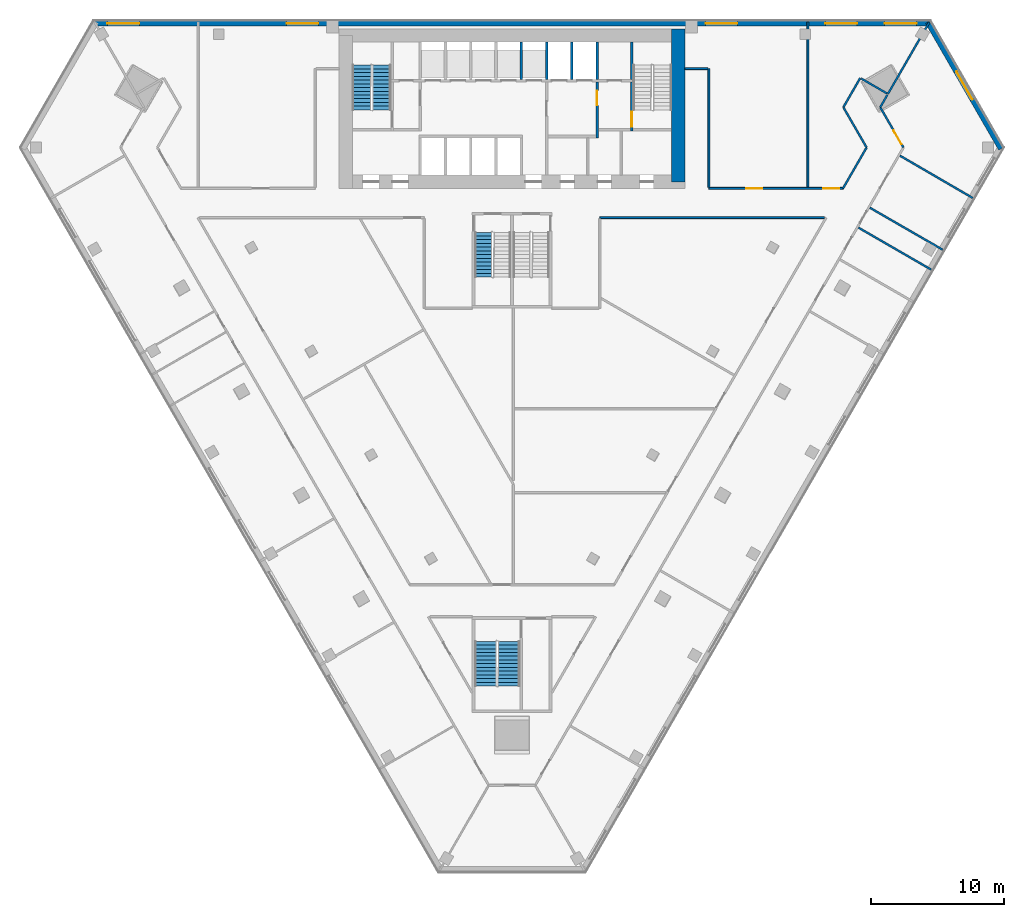
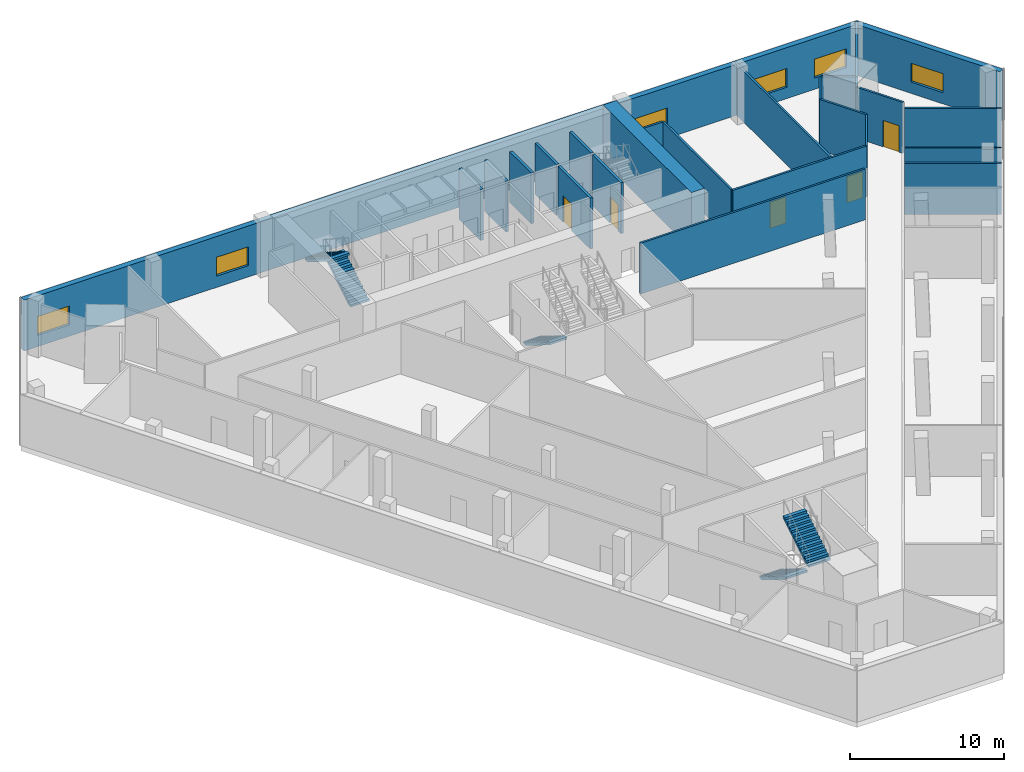
# One storey, part 6 of 9: 25 walls, 6 windows, 5 doors, 5 stair flights, 11 openings, 3 elements without a shape of their own.
"""IFC4 building model written with IfcOpenShell, lengths in metres."""

from ifc_helpers import new_model, si_unit, direction, frame, frame_2d, origin, place, context, subcontext, project, spatial, polyline, rectangle, outline, extrude, material, layer, layer_set, type_object, element, fill, aggregate, save


model = new_model("IFC4")

# Units and contexts
model_context = context("Model", 3, precision=1e-05, world=origin(), true_north=direction((0.0, 1.0)))
body_context = subcontext(model_context, "Body", "Model", "MODEL_VIEW")
ifc_project = project(units=[si_unit("LENGTHUNIT", "METRE"), si_unit("AREAUNIT", "SQUARE_METRE"), si_unit("VOLUMEUNIT", "CUBIC_METRE"), si_unit("PLANEANGLEUNIT", "RADIAN"), si_unit("MASSUNIT", "GRAM", prefix="KILO")], contexts=[model_context])

# Site, building, storey
site_placement = place(None, origin())
site = spatial("IfcSite", under=ifc_project, at=site_placement, CompositionType="ELEMENT")
building_placement = place(site_placement, origin())
building = spatial("IfcBuilding", under=site, at=building_placement, Name="Altiplano Prism Tower", CompositionType="ELEMENT")
storey_placement = place(building_placement, frame((0.0, 0.0, 13.5)))
storey = spatial("IfcBuildingStorey", under=building, at=storey_placement, Name="L02", CompositionType="ELEMENT", Elevation=13.5)

# Wall
ifc_material_1 = material(Name="Concrete C70/85", Category="concrete")
ifc_layer_1 = layer(ifc_material_1, 1.0)
ifc_layer_set_1 = layer_set([ifc_layer_1], Name="Concrete C70/85")
wall_type_1 = type_object("IfcWallType", Name="Core wall 1000", PredefinedType="SHEAR", material=ifc_layer_set_1)
wall_1_placement = place(storey_placement, frame((97.5, 92.89990234375, 0.0), z_axis=(0.0, 0.0, 1.0), x_axis=(0.0, 1.0, 0.0)))
element("IfcWall", 1, at=wall_1_placement, inside=storey, type_object=wall_type_1, Name="Core wall E L02", PredefinedType="SHEAR", context=body_context, shape_type="SweptSolid", body=[
    extrude(rectangle(XDim=11.5, YDim=1.0, at=frame_2d((5.75, 0.0))), origin(), (0.0, 0.0, 1.0), 4.5),
])

# Wall, opening, door
ifc_material_2 = material(Name="Plasterboard on steel stud", Category="steel")
ifc_layer_2 = layer(ifc_material_2, 0.14990234375)
ifc_layer_set_2 = layer_set([ifc_layer_2], Name="Plasterboard on steel stud")
wall_type_2 = type_object("IfcWallType", Name="Partition 150 corridor", PredefinedType="PARTITIONING", material=ifc_layer_set_2)
wall_2_placement = place(storey_placement, frame((114.4296875, 95.4736328125, 0.0), z_axis=(0.0, 0.0, 1.0), x_axis=(-0.500008701212, 0.866020380079, 0.0)))
wall_2 = element("IfcWall", 2, at=wall_2_placement, inside=storey, type_object=wall_type_2, Name="Partition P06 L02 006", PredefinedType="PARTITIONING", context=body_context, shape_type="SweptSolid", body=[
    extrude(rectangle(XDim=3.49462890625, YDim=0.14990234375, at=frame_2d((1.747314453125, 0.0))), origin(), (0.0, 0.0, 1.0), 4.050048828125),
])
opening_1_placement = place(wall_2_placement, frame((0.2880859375, 0.0, 0.0)))
opening_1 = element("IfcOpeningElement", 3, at=opening_1_placement, cuts=wall_2, Name="Opening D0067", PredefinedType="OPENING", context=body_context, shape_type="SweptSolid", body=[
    extrude(rectangle(XDim=1.199951171875, YDim=2.10009765625, at=frame_2d((0.60009765625, 1.050048828125))), frame((0.0, 0.08544921875, 0.0), z_axis=(0.0, -1.0, 0.0), x_axis=(1.0, 0.0, 0.0)), (0.0, 0.0, 1.0), 0.1708984375),
])
ifc_material_3 = material(Name="Timber", Category="wood")
door_type_1 = type_object("IfcDoorType", Name="Shared room door 1200 x 2100", OperationType="NOTDEFINED", PredefinedType="NOTDEFINED", material=ifc_material_3)
door_1_placement = place(opening_1_placement, origin())
door_1 = element("IfcDoor", 4, at=door_1_placement, inside=storey, type_object=door_type_1, Name="Door D0067", OperationType="SINGLE_SWING_LEFT", OverallHeight=2.10009765625, OverallWidth=1.199951171875, PredefinedType="NOTDEFINED", context=body_context, shape_type="SweptSolid", body=[
    extrude(rectangle(XDim=1.199951171875, YDim=2.10009765625, at=frame_2d((0.60009765625, 1.050048828125))), frame((0.0, 0.02490234375, 0.0), z_axis=(0.0, -1.0, 0.0), x_axis=(1.0, 0.0, 0.0)), (0.0, 0.0, 1.0), 0.050048828125),
])
fill(opening_1, door_1)

# Walls
wall_3_placement = place(storey_placement, frame((112.682373046875, 98.5, 0.0), z_axis=(0.0, 0.0, 1.0), x_axis=(0.500126914667, 0.865952117167, 0.0)))
element("IfcWall", 5, at=wall_3_placement, inside=storey, type_object=wall_type_2, Name="Partition P06 L02 007", PredefinedType="PARTITIONING", context=body_context, shape_type="SweptSolid", body=[
    extrude(rectangle(XDim=1.079833984375, YDim=0.14990234375, at=frame_2d((0.5400390625, 0.0))), origin(), (0.0, 0.0, 1.0), 4.050048828125),
])
wall_4_placement = place(storey_placement, frame((91.60009765625, 90.199951171875, 0.0), z_axis=(0.0, 0.0, 1.0), x_axis=(1.0, 0.0, 0.0)))
element("IfcWall", 6, at=wall_4_placement, inside=storey, type_object=wall_type_2, Name="Partition P06 L02 010", PredefinedType="PARTITIONING", context=body_context, shape_type="SweptSolid", body=[
    extrude(rectangle(XDim=16.883544921875, YDim=0.14990234375, at=frame_2d((8.44189453125, 0.0))), origin(), (0.0, 0.0, 1.0), 4.050048828125),
])

# Wall, openings, doors
wall_5_placement = place(storey_placement, frame((109.8837890625, 92.39990234375, 0.0), z_axis=(0.0, 0.0, 1.0), x_axis=(-1.0, 0.0, 0.0)))
wall_5 = element("IfcWall", 7, at=wall_5_placement, inside=storey, type_object=wall_type_2, Name="Partition P06 L02 016", PredefinedType="PARTITIONING", context=body_context, shape_type="SweptSolid", body=[
    extrude(rectangle(XDim=10.083740234375, YDim=0.14990234375, at=frame_2d((5.0419921875, 0.0))), origin(), (0.0, 0.0, 1.0), 4.050048828125),
])
opening_2_placement = place(wall_5_placement, frame((6.06201171875, 0.0, 0.0)))
opening_2 = element("IfcOpeningElement", 8, at=opening_2_placement, cuts=wall_5, Name="Opening D0072", PredefinedType="OPENING", context=body_context, shape_type="SweptSolid", body=[
    extrude(rectangle(XDim=1.199951171875, YDim=2.10009765625, at=frame_2d((0.60009765625, 1.050048828125))), frame((0.0, 0.08544921875, 0.0), z_axis=(0.0, -1.0, 0.0), x_axis=(1.0, 0.0, 0.0)), (0.0, 0.0, 1.0), 0.1708984375),
])
opening_3_placement = place(wall_5_placement, frame((0.291015625, 0.0, 0.0)))
opening_3 = element("IfcOpeningElement", 9, at=opening_3_placement, cuts=wall_5, Name="Opening D0078", PredefinedType="OPENING", context=body_context, shape_type="SweptSolid", body=[
    extrude(rectangle(XDim=1.199951171875, YDim=2.10009765625, at=frame_2d((0.60009765625, 1.050048828125))), frame((0.0, 0.08544921875, 0.0), z_axis=(0.0, -1.0, 0.0), x_axis=(1.0, 0.0, 0.0)), (0.0, 0.0, 1.0), 0.1708984375),
])
door_2_placement = place(opening_2_placement, origin())
door_2 = element("IfcDoor", 10, at=door_2_placement, inside=storey, type_object=door_type_1, Name="Door D0072", OperationType="SINGLE_SWING_RIGHT", OverallHeight=2.10009765625, OverallWidth=1.199951171875, PredefinedType="NOTDEFINED", context=body_context, shape_type="SweptSolid", body=[
    extrude(rectangle(XDim=1.199951171875, YDim=2.10009765625, at=frame_2d((0.60009765625, 1.050048828125))), frame((0.0, 0.02490234375, 0.0), z_axis=(0.0, -1.0, 0.0), x_axis=(1.0, 0.0, 0.0)), (0.0, 0.0, 1.0), 0.050048828125),
])
fill(opening_2, door_2)
door_3_placement = place(opening_3_placement, origin())
door_3 = element("IfcDoor", 11, at=door_3_placement, inside=storey, type_object=door_type_1, Name="Door D0078", OperationType="SINGLE_SWING_RIGHT", OverallHeight=2.10009765625, OverallWidth=1.199951171875, PredefinedType="NOTDEFINED", context=body_context, shape_type="SweptSolid", body=[
    extrude(rectangle(XDim=1.199951171875, YDim=2.10009765625, at=frame_2d((0.60009765625, 1.050048828125))), frame((0.0, 0.02490234375, 0.0), z_axis=(0.0, -1.0, 0.0), x_axis=(1.0, 0.0, 0.0)), (0.0, 0.0, 1.0), 0.050048828125),
])
fill(opening_3, door_3)

# Walls
wall_6_placement = place(storey_placement, frame((99.800048828125, 92.47509765625, 0.0), z_axis=(0.0, 0.0, 1.0), x_axis=(0.0, 1.0, 0.0)))
element("IfcWall", 12, at=wall_6_placement, inside=storey, type_object=wall_type_2, Name="Partition P06 L02 017", PredefinedType="PARTITIONING", context=body_context, shape_type="SweptSolid", body=[
    extrude(rectangle(XDim=8.9248046875, YDim=0.14990234375, at=frame_2d((4.46240234375, 0.0))), origin(), (0.0, 0.0, 1.0), 4.050048828125),
])
wall_7_placement = place(storey_placement, frame((99.72509765625, 101.39990234375, 0.0), z_axis=(0.0, 0.0, 1.0), x_axis=(-1.0, 0.0, 0.0)))
element("IfcWall", 13, at=wall_7_placement, inside=storey, type_object=wall_type_2, Name="Partition P06 L02 018", PredefinedType="PARTITIONING", context=body_context, shape_type="SweptSolid", body=[
    extrude(rectangle(XDim=1.72509765625, YDim=0.14990234375, at=frame_2d((0.862548828125, 0.0))), origin(), (0.0, 0.0, 1.0), 4.050048828125),
])
wall_8_placement = place(storey_placement, frame((113.19482421875, 99.53759765625, 0.0), z_axis=(0.0, 0.0, 1.0), x_axis=(-0.866017533419, 0.500013631625, 0.0)))
element("IfcWall", 14, at=wall_8_placement, inside=storey, type_object=wall_type_2, Name="Partition P06 L02 023", PredefinedType="PARTITIONING", context=body_context, shape_type="SweptSolid", body=[
    extrude(rectangle(XDim=2.25, YDim=0.14990234375, at=frame_2d((1.125, 0.0))), origin(), (0.0, 0.0, 1.0), 4.050048828125),
])
wall_9_placement = place(storey_placement, frame((111.181396484375, 100.699951171875, 0.0), z_axis=(0.0, 0.0, 1.0), x_axis=(-0.500035802948, -0.866004731956, 0.0)))
element("IfcWall", 15, at=wall_9_placement, inside=storey, type_object=wall_type_2, Name="Partition P06 L02 024", PredefinedType="PARTITIONING", context=body_context, shape_type="SweptSolid", body=[
    extrude(rectangle(XDim=2.540283203125, YDim=0.14990234375, at=frame_2d((1.27001953125, 0.0))), origin(), (0.0, 0.0, 1.0), 4.050048828125),
])
wall_10_placement = place(storey_placement, frame((109.9111328125, 98.5, 0.0), z_axis=(0.0, 0.0, 1.0), x_axis=(0.500008701212, -0.866020380079, 0.0)))
element("IfcWall", 16, at=wall_10_placement, inside=storey, type_object=wall_type_2, Name="Partition P06 L02 025", PredefinedType="PARTITIONING", context=body_context, shape_type="SweptSolid", body=[
    extrude(rectangle(XDim=3.49462890625, YDim=0.14990234375, at=frame_2d((1.747314453125, 0.0))), origin(), (0.0, 0.0, 1.0), 4.050048828125),
])
wall_11_placement = place(storey_placement, frame((111.658447265625, 95.4736328125, 0.0), z_axis=(0.0, 0.0, 1.0), x_axis=(-0.500008260065, -0.866020634781, 0.0)))
element("IfcWall", 17, at=wall_11_placement, inside=storey, type_object=wall_type_2, Name="Partition P06 L02 026", PredefinedType="PARTITIONING", context=body_context, shape_type="SweptSolid", body=[
    extrude(rectangle(XDim=3.54931640625, YDim=0.14990234375, at=frame_2d((1.774658203125, 0.0))), origin(), (0.0, 0.0, 1.0), 4.050048828125),
])
ifc_layer_3 = layer(ifc_material_2, 0.14990234375)
ifc_layer_set_3 = layer_set([ifc_layer_3], Name="Plasterboard on steel stud")
wall_type_3 = type_object("IfcWallType", Name="Partition 150 party", PredefinedType="PARTITIONING", material=ifc_layer_set_3)
wall_12_placement = place(storey_placement, frame((116.51806640625, 86.290771484375, 0.0), z_axis=(0.0, 0.0, 1.0), x_axis=(-0.866015887322, 0.500016482634, 0.0)))
element("IfcWall", 18, at=wall_12_placement, inside=storey, type_object=wall_type_3, Name="Partition P01 L02 049", PredefinedType="PARTITIONING", context=body_context, shape_type="SweptSolid", body=[
    extrude(rectangle(XDim=6.324951171875, YDim=0.14990234375, at=frame_2d((3.16259765625, 0.0))), origin(), (0.0, 0.0, 1.0), 4.050048828125),
])
wall_13_placement = place(storey_placement, frame((117.381103515625, 87.78564453125, 0.0), z_axis=(0.0, 0.0, 1.0), x_axis=(-0.866042250622, 0.499970819286, 0.0)))
element("IfcWall", 19, at=wall_13_placement, inside=storey, type_object=wall_type_3, Name="Partition P01 L02 050", PredefinedType="PARTITIONING", context=body_context, shape_type="SweptSolid", body=[
    extrude(rectangle(XDim=6.3251953125, YDim=0.14990234375, at=frame_2d((3.16259765625, 0.0))), origin(), (0.0, 0.0, 1.0), 4.050048828125),
])
wall_14_placement = place(storey_placement, frame((119.631103515625, 91.682861328125, 0.0), z_axis=(0.0, 0.0, 1.0), x_axis=(-0.864489243455, 0.502651318462, 0.0)))
element("IfcWall", 20, at=wall_14_placement, inside=storey, type_object=wall_type_3, Name="Partition P01 L02 051", PredefinedType="PARTITIONING", context=body_context, shape_type="SweptSolid", body=[
    extrude(rectangle(XDim=6.324951171875, YDim=0.14990234375, at=frame_2d((3.16259765625, 0.0))), origin(), (0.0, 0.0, 1.0), 4.050048828125),
])
wall_15_placement = place(storey_placement, frame((116.37744140625, 104.89990234375, 0.0), z_axis=(0.0, 0.0, 1.0), x_axis=(-0.500004896655, -0.866022576681, 0.0)))
element("IfcWall", 21, at=wall_15_placement, inside=storey, type_object=wall_type_3, Name="Partition P01 L02 052", PredefinedType="PARTITIONING", context=body_context, shape_type="SweptSolid", body=[
    extrude(rectangle(XDim=6.2353515625, YDim=0.14990234375, at=frame_2d((3.11767578125, 0.0))), origin(), (0.0, 0.0, 1.0), 4.050048828125),
])
wall_16_placement = place(storey_placement, frame((107.2412109375, 92.47509765625, 0.0), z_axis=(0.0, 0.0, 1.0), x_axis=(0.0, 1.0, 0.0)))
element("IfcWall", 22, at=wall_16_placement, inside=storey, type_object=wall_type_3, Name="Partition P01 L02 058", PredefinedType="PARTITIONING", context=body_context, shape_type="SweptSolid", body=[
    extrude(rectangle(XDim=12.4248046875, YDim=0.14990234375, at=frame_2d((6.21240234375, 0.0))), origin(), (0.0, 0.0, 1.0), 4.050048828125),
])
ifc_material_4 = material(Name="Concrete C60/75", Category="concrete")
ifc_layer_4 = layer(ifc_material_4, 0.199951171875)
ifc_layer_set_4 = layer_set([ifc_layer_4], Name="Concrete C60/75")
wall_type_4 = type_object("IfcWallType", Name="Shaft wall 200", PredefinedType="SOLIDWALL", material=ifc_layer_set_4)
for number, where, z_axis, x_axis, name in (
    (23, (85.699951171875, 100.60009765625, 0.0), (0.0, 0.0, 1.0), (0.0, 1.0, 0.0), "Shaft wall L02"),
    (24, (87.60009765625, 100.60009765625, 0.0), (0.0, 0.0, 1.0), (0.0, 1.0, 0.0), "Shaft wall L02"),
    (25, (89.5, 100.60009765625, 0.0), (0.0, 0.0, 1.0), (0.0, 1.0, 0.0), "Shaft wall L02"),
    (26, (91.39990234375, 100.60009765625, 0.0), (0.0, 0.0, 1.0), (0.0, 1.0, 0.0), "Shaft wall L02"),
):
    element("IfcWall", number, at=place(storey_placement, frame(where, z_axis=z_axis, x_axis=x_axis)), inside=storey, type_object=wall_type_4, Name=name, PredefinedType="SOLIDWALL", context=body_context, shape_type="SweptSolid", body=[
        extrude(rectangle(XDim=2.7998046875, YDim=0.199951171875, at=frame_2d((1.39990234375, 0.0))), origin(), (0.0, 0.0, 1.0), 4.050048828125),
    ])

# Wall, opening, door
ifc_layer_5 = layer(ifc_material_4, 0.199951171875)
ifc_layer_set_5 = layer_set([ifc_layer_5], Name="Concrete C60/75")
wall_type_5 = type_object("IfcWallType", Name="Stair wall 200", PredefinedType="SOLIDWALL", material=ifc_layer_set_5)
wall_17_placement = place(storey_placement, frame((94.0, 96.699951171875, 0.0), z_axis=(0.0, 0.0, 1.0), x_axis=(0.0, 1.0, 0.0)))
wall_17 = element("IfcWall", 27, at=wall_17_placement, inside=storey, type_object=wall_type_5, Name="Stair wall L02", PredefinedType="SOLIDWALL", context=body_context, shape_type="SweptSolid", body=[
    extrude(rectangle(XDim=3.699951171875, YDim=0.199951171875, at=frame_2d((1.85009765625, 0.0))), origin(), (0.0, 0.0, 1.0), 4.050048828125),
])
opening_4_placement = place(wall_17_placement, frame((0.35009765625, 0.0, 0.0)))
opening_4 = element("IfcOpeningElement", 28, at=opening_4_placement, cuts=wall_17, Name="Opening D2614", PredefinedType="OPENING", context=body_context, shape_type="SweptSolid", body=[
    extrude(rectangle(XDim=1.10009765625, YDim=2.10009765625, at=frame_2d((0.550048828125, 1.050048828125))), frame((0.0, 0.1103515625, 0.0), z_axis=(0.0, -1.0, 0.0), x_axis=(1.0, 0.0, 0.0)), (0.0, 0.0, 1.0), 0.220947265625),
])
ifc_material_5 = material(Name="Fire-rated steel door", Category="steel")
door_type_2 = type_object("IfcDoorType", Name="Stair fire door 1100 x 2100", OperationType="NOTDEFINED", PredefinedType="NOTDEFINED", material=ifc_material_5)
door_4_placement = place(opening_4_placement, origin())
door_4 = element("IfcDoor", 29, at=door_4_placement, inside=storey, type_object=door_type_2, Name="Stair fire door D2614", OperationType="SINGLE_SWING_LEFT", OverallHeight=2.10009765625, OverallWidth=1.10009765625, PredefinedType="NOTDEFINED", context=body_context, shape_type="SweptSolid", body=[
    extrude(rectangle(XDim=1.10009765625, YDim=2.10009765625, at=frame_2d((0.550048828125, 1.050048828125))), frame((0.0, 0.02490234375, 0.0), z_axis=(0.0, -1.0, 0.0), x_axis=(1.0, 0.0, 0.0)), (0.0, 0.0, 1.0), 0.050048828125),
])
fill(opening_4, door_4)

# Wall
wall_18_placement = place(storey_placement, frame((94.0, 100.60009765625, 0.0), z_axis=(0.0, 0.0, 1.0), x_axis=(0.0, 1.0, 0.0)))
element("IfcWall", 30, at=wall_18_placement, inside=storey, type_object=wall_type_5, Name="Stair wall L02", PredefinedType="SOLIDWALL", context=body_context, shape_type="SweptSolid", body=[
    extrude(rectangle(XDim=2.7998046875, YDim=0.199951171875, at=frame_2d((1.39990234375, 0.0))), origin(), (0.0, 0.0, 1.0), 4.050048828125),
])

# Wall, openings, windows
ifc_material_6 = material(Name="Concrete C40", Category="concrete")
ifc_layer_6 = layer(ifc_material_6, 0.39990234375)
ifc_layer_set_6 = layer_set([ifc_layer_6], Name="Concrete C40")
wall_type_6 = type_object("IfcWallType", Name="Stone-clad podium wall 400", PredefinedType="SOLIDWALL", material=ifc_layer_set_6)
wall_19_placement = place(storey_placement, frame((53.564697265625, 104.800048828125, 0.0), z_axis=(0.0, 0.0, 1.0), x_axis=(1.0, 0.0, 0.0)))
wall_19 = element("IfcWall", 31, at=wall_19_placement, inside=storey, type_object=wall_type_6, Name="External wall north face L02", PredefinedType="SOLIDWALL", context=body_context, shape_type="SweptSolid", body=[
    extrude(rectangle(XDim=62.87060546875, YDim=0.39990234375, at=frame_2d((31.435302734375, 0.0))), origin(), (0.0, 0.0, 1.0), 4.050048828125),
])
opening_5_placement = place(wall_19_placement, frame((59.452392578125, 0.0, 0.89990234375)))
opening_5 = element("IfcOpeningElement", 32, at=opening_5_placement, cuts=wall_19, Name="Opening W1", PredefinedType="OPENING", context=body_context, shape_type="SweptSolid", body=[
    extrude(rectangle(XDim=2.39990234375, YDim=1.5, at=frame_2d((1.199951171875, 0.75))), frame((0.0, 0.21044921875, 0.0), z_axis=(0.0, -1.0, 0.0), x_axis=(1.0, 0.0, 0.0)), (0.0, 0.0, 1.0), 0.4208984375),
])
opening_6_placement = place(wall_19_placement, frame((54.985595703125, 0.0, 0.89990234375)))
opening_6 = element("IfcOpeningElement", 33, at=opening_6_placement, cuts=wall_19, Name="Opening W1", PredefinedType="OPENING", context=body_context, shape_type="SweptSolid", body=[
    extrude(rectangle(XDim=2.39990234375, YDim=1.5, at=frame_2d((1.199951171875, 0.75))), frame((0.0, 0.21044921875, 0.0), z_axis=(0.0, -1.0, 0.0), x_axis=(1.0, 0.0, 0.0)), (0.0, 0.0, 1.0), 0.4208984375),
])
opening_7_placement = place(wall_19_placement, frame((45.985595703125, 0.0, 0.89990234375)))
opening_7 = element("IfcOpeningElement", 34, at=opening_7_placement, cuts=wall_19, Name="Opening W1", PredefinedType="OPENING", context=body_context, shape_type="SweptSolid", body=[
    extrude(rectangle(XDim=2.39990234375, YDim=1.5, at=frame_2d((1.199951171875, 0.75))), frame((0.0, 0.21044921875, 0.0), z_axis=(0.0, -1.0, 0.0), x_axis=(1.0, 0.0, 0.0)), (0.0, 0.0, 1.0), 0.4208984375),
])
opening_8_placement = place(wall_19_placement, frame((14.485595703125, 0.0, 0.89990234375)))
opening_8 = element("IfcOpeningElement", 35, at=opening_8_placement, cuts=wall_19, Name="Opening W1", PredefinedType="OPENING", context=body_context, shape_type="SweptSolid", body=[
    extrude(rectangle(XDim=2.39990234375, YDim=1.5, at=frame_2d((1.199951171875, 0.75))), frame((0.0, 0.21044921875, 0.0), z_axis=(0.0, -1.0, 0.0), x_axis=(1.0, 0.0, 0.0)), (0.0, 0.0, 1.0), 0.4208984375),
])
opening_9_placement = place(wall_19_placement, frame((1.017578125, 0.0, 0.89990234375)))
opening_9 = element("IfcOpeningElement", 36, at=opening_9_placement, cuts=wall_19, Name="Opening W1", PredefinedType="OPENING", context=body_context, shape_type="SweptSolid", body=[
    extrude(rectangle(XDim=2.39990234375, YDim=1.5, at=frame_2d((1.199951171875, 0.75))), frame((0.0, 0.21044921875, 0.0), z_axis=(0.0, -1.0, 0.0), x_axis=(1.0, 0.0, 0.0)), (0.0, 0.0, 1.0), 0.4208984375),
])
ifc_material_7 = material(Name="Glass", Category="glass")
window_type = type_object("IfcWindowType", Name="Window 2400 x 1500", PartitioningType="SINGLE_PANEL", PredefinedType="WINDOW", material=ifc_material_7)
window_1_placement = place(opening_5_placement, origin())
window_1 = element("IfcWindow", 37, at=window_1_placement, inside=storey, type_object=window_type, Name="Podium window L02", OverallHeight=1.5, OverallWidth=2.39990234375, PartitioningType="SINGLE_PANEL", PredefinedType="WINDOW", context=body_context, shape_type="SweptSolid", body=[
    extrude(rectangle(XDim=2.39990234375, YDim=1.5, at=frame_2d((1.199951171875, 0.75))), frame((0.0, 0.030029296875, 0.0), z_axis=(0.0, -1.0, 0.0), x_axis=(1.0, 0.0, 0.0)), (0.0, 0.0, 1.0), 0.06005859375),
])
fill(opening_5, window_1)
window_2_placement = place(opening_6_placement, origin())
window_2 = element("IfcWindow", 38, at=window_2_placement, inside=storey, type_object=window_type, Name="Podium window L02", OverallHeight=1.5, OverallWidth=2.39990234375, PartitioningType="SINGLE_PANEL", PredefinedType="WINDOW", context=body_context, shape_type="SweptSolid", body=[
    extrude(rectangle(XDim=2.39990234375, YDim=1.5, at=frame_2d((1.199951171875, 0.75))), frame((0.0, 0.030029296875, 0.0), z_axis=(0.0, -1.0, 0.0), x_axis=(1.0, 0.0, 0.0)), (0.0, 0.0, 1.0), 0.06005859375),
])
fill(opening_6, window_2)
window_3_placement = place(opening_7_placement, origin())
window_3 = element("IfcWindow", 39, at=window_3_placement, inside=storey, type_object=window_type, Name="Podium window L02", OverallHeight=1.5, OverallWidth=2.39990234375, PartitioningType="SINGLE_PANEL", PredefinedType="WINDOW", context=body_context, shape_type="SweptSolid", body=[
    extrude(rectangle(XDim=2.39990234375, YDim=1.5, at=frame_2d((1.199951171875, 0.75))), frame((0.0, 0.030029296875, 0.0), z_axis=(0.0, -1.0, 0.0), x_axis=(1.0, 0.0, 0.0)), (0.0, 0.0, 1.0), 0.06005859375),
])
fill(opening_7, window_3)
window_4_placement = place(opening_8_placement, origin())
window_4 = element("IfcWindow", 40, at=window_4_placement, inside=storey, type_object=window_type, Name="Podium window L02", OverallHeight=1.5, OverallWidth=2.39990234375, PartitioningType="SINGLE_PANEL", PredefinedType="WINDOW", context=body_context, shape_type="SweptSolid", body=[
    extrude(rectangle(XDim=2.39990234375, YDim=1.5, at=frame_2d((1.199951171875, 0.75))), frame((0.0, 0.030029296875, 0.0), z_axis=(0.0, -1.0, 0.0), x_axis=(1.0, 0.0, 0.0)), (0.0, 0.0, 1.0), 0.06005859375),
])
fill(opening_8, window_4)
window_5_placement = place(opening_9_placement, origin())
window_5 = element("IfcWindow", 41, at=window_5_placement, inside=storey, type_object=window_type, Name="Podium window L02", OverallHeight=1.5, OverallWidth=2.39990234375, PartitioningType="SINGLE_PANEL", PredefinedType="WINDOW", context=body_context, shape_type="SweptSolid", body=[
    extrude(rectangle(XDim=2.39990234375, YDim=1.5, at=frame_2d((1.199951171875, 0.75))), frame((0.0, 0.030029296875, 0.0), z_axis=(0.0, -1.0, 0.0), x_axis=(1.0, 0.0, 0.0)), (0.0, 0.0, 1.0), 0.06005859375),
])
fill(opening_9, window_5)

# Wall, opening, window
wall_20_placement = place(storey_placement, frame((116.261962890625, 104.89990234375, 0.0), z_axis=(0.0, 0.0, 1.0), x_axis=(0.50000615651, -0.866021849293, 0.0)))
wall_20 = element("IfcWall", 42, at=wall_20_placement, inside=storey, type_object=wall_type_6, Name="External wall north-east chamfer L02", PredefinedType="SOLIDWALL", context=body_context, shape_type="SweptSolid", body=[
    extrude(rectangle(XDim=10.999755859375, YDim=0.39990234375, at=frame_2d((5.5, 0.0))), origin(), (0.0, 0.0, 1.0), 4.050048828125),
])
opening_10_placement = place(wall_20_placement, frame((4.300048828125, 0.0, 0.89990234375)))
opening_10 = element("IfcOpeningElement", 43, at=opening_10_placement, cuts=wall_20, Name="Opening W1", PredefinedType="OPENING", context=body_context, shape_type="SweptSolid", body=[
    extrude(rectangle(XDim=2.39990234375, YDim=1.5, at=frame_2d((1.199951171875, 0.75))), frame((0.0, 0.21044921875, 0.0), z_axis=(0.0, -1.0, 0.0), x_axis=(1.0, 0.0, 0.0)), (0.0, 0.0, 1.0), 0.4208984375),
])
window_6_placement = place(opening_10_placement, origin())
window_6 = element("IfcWindow", 44, at=window_6_placement, inside=storey, type_object=window_type, Name="Podium window L02", OverallHeight=1.5, OverallWidth=2.39990234375, PartitioningType="SINGLE_PANEL", PredefinedType="WINDOW", context=body_context, shape_type="SweptSolid", body=[
    extrude(rectangle(XDim=2.39990234375, YDim=1.5, at=frame_2d((1.199951171875, 0.75))), frame((0.0, 0.030029296875, 0.0), z_axis=(0.0, -1.0, 0.0), x_axis=(1.0, 0.0, 0.0)), (0.0, 0.0, 1.0), 0.06005859375),
])
fill(opening_10, window_6)

# Wall, opening, door
ifc_layer_7 = layer(ifc_material_4, 0.199951171875)
ifc_layer_set_7 = layer_set([ifc_layer_7], Name="Concrete C60/75")
wall_type_7 = type_object("IfcWallType", Name="Vestibule wall 200", PredefinedType="PARTITIONING", material=ifc_layer_set_7)
wall_21_placement = place(storey_placement, frame((91.39990234375, 96.199951171875, 0.0), z_axis=(0.0, 0.0, 1.0), x_axis=(0.0, 1.0, 0.0)))
wall_21 = element("IfcWall", 45, at=wall_21_placement, inside=storey, type_object=wall_type_7, Name="Vestibule wall L02", PredefinedType="PARTITIONING", context=body_context, shape_type="SweptSolid", body=[
    extrude(rectangle(XDim=4.199951171875, YDim=0.199951171875, at=frame_2d((2.10009765625, 0.0))), origin(), (0.0, 0.0, 1.0), 4.050048828125),
])
opening_11_placement = place(wall_21_placement, frame((2.449951171875, 0.0, 0.0)))
opening_11 = element("IfcOpeningElement", 46, at=opening_11_placement, cuts=wall_21, Name="Opening D2617", PredefinedType="OPENING", context=body_context, shape_type="SweptSolid", body=[
    extrude(rectangle(XDim=1.10009765625, YDim=2.10009765625, at=frame_2d((0.550048828125, 1.050048828125))), frame((0.0, 0.1103515625, 0.0), z_axis=(0.0, -1.0, 0.0), x_axis=(1.0, 0.0, 0.0)), (0.0, 0.0, 1.0), 0.220947265625),
])
door_type_3 = type_object("IfcDoorType", Name="Vestibule fire door 1100 x 2100", OperationType="NOTDEFINED", PredefinedType="NOTDEFINED", material=ifc_material_5)
door_5_placement = place(opening_11_placement, origin())
door_5 = element("IfcDoor", 47, at=door_5_placement, inside=storey, type_object=door_type_3, Name="Vestibule fire door D2617", OperationType="SINGLE_SWING_LEFT", OverallHeight=2.10009765625, OverallWidth=1.10009765625, PredefinedType="NOTDEFINED", context=body_context, shape_type="SweptSolid", body=[
    extrude(rectangle(XDim=1.10009765625, YDim=2.10009765625, at=frame_2d((0.550048828125, 1.050048828125))), frame((0.0, 0.02490234375, 0.0), z_axis=(0.0, -1.0, 0.0), x_axis=(1.0, 0.0, 0.0)), (0.0, 0.0, 1.0), 0.050048828125),
])
fill(opening_11, door_5)

# Stair, stair flights
ifc_material_8 = material(Name="Concrete C40/50", Category="concrete")
stair_type_1 = type_object("IfcStairType", Name="Exit stair 1400", PredefinedType="HALF_TURN_STAIR", material=ifc_material_8)
stair_1_placement = place(storey_placement, origin())
stair_1 = element("IfcStair", 48, at=stair_1_placement, inside=storey, type_object=stair_type_1, Name="L02 Exit Stair 1", PredefinedType="HALF_TURN_STAIR")
stair_flight_type = type_object("IfcStairFlightType", Name="Stair flight concrete 150", PredefinedType="STRAIGHT", material=ifc_material_8)
stair_flight_1_placement = place(storey_placement, frame((75.199951171875, 98.300048828125, 0.0), z_axis=(0.0, 0.0, 1.0), x_axis=(0.0, 1.0, 0.0)))
stair_flight_1 = element("IfcStairFlight", 49, at=stair_flight_1_placement, type_object=stair_flight_type, Name="ST1 flight 1", NumberOfRisers=13, NumberOfTreads=12, PredefinedType="STRAIGHT", RiserHeight=0.173076923, TreadLength=0.28, context=body_context, shape_type="SweptSolid", body=[
    extrude(outline(polyline([(0.0, 0.0), (0.0, 0.173095703125), (0.280029296875, 0.173095703125), (0.280029296875, 0.34619140625), (0.56005859375, 0.34619140625), (0.56005859375, 0.519287109375), (0.840087890625, 0.519287109375), (0.840087890625, 0.6923828125), (1.1201171875, 0.6923828125), (1.1201171875, 0.865478515625), (1.39990234375, 0.865478515625), (1.39990234375, 1.03857421875), (1.679931640625, 1.03857421875), (1.679931640625, 1.21142578125), (1.9599609375, 1.21142578125), (1.9599609375, 1.384521484375), (2.239990234375, 1.384521484375), (2.239990234375, 1.5576171875), (2.52001953125, 1.5576171875), (2.52001953125, 1.730712890625), (2.800048828125, 1.730712890625), (2.800048828125, 1.90380859375), (3.080078125, 1.90380859375), (3.080078125, 2.076904296875), (3.360107421875, 2.076904296875), (3.360107421875, 2.25), (3.360107421875, 1.900634765625), (0.28515625, 0.0), (0.0, 0.0)])), frame((0.0, 0.699951171875, 0.0), z_axis=(0.0, -1.0, 0.0), x_axis=(1.0, 0.0, 0.0)), (0.0, 0.0, 1.0), 1.39990234375),
])
stair_flight_2_placement = place(storey_placement, frame((73.699951171875, 101.659912109375, 2.25), z_axis=(0.0, 0.0, 1.0), x_axis=(0.0, -1.0, 0.0)))
stair_flight_2 = element("IfcStairFlight", 50, at=stair_flight_2_placement, type_object=stair_flight_type, Name="ST1 flight 2", NumberOfRisers=13, NumberOfTreads=12, PredefinedType="STRAIGHT", RiserHeight=0.173076923, TreadLength=0.28, context=body_context, shape_type="SweptSolid", body=[
    extrude(outline(polyline([(0.0, 0.0), (0.0, 0.173095703125), (0.280029296875, 0.173095703125), (0.280029296875, 0.34619140625), (0.56005859375, 0.34619140625), (0.56005859375, 0.519287109375), (0.840087890625, 0.519287109375), (0.840087890625, 0.6923828125), (1.1201171875, 0.6923828125), (1.1201171875, 0.865478515625), (1.39990234375, 0.865478515625), (1.39990234375, 1.03857421875), (1.679931640625, 1.03857421875), (1.679931640625, 1.21142578125), (1.9599609375, 1.21142578125), (1.9599609375, 1.384521484375), (2.239990234375, 1.384521484375), (2.239990234375, 1.5576171875), (2.52001953125, 1.5576171875), (2.52001953125, 1.730712890625), (2.800048828125, 1.730712890625), (2.800048828125, 1.90380859375), (3.080078125, 1.90380859375), (3.080078125, 2.076904296875), (3.360107421875, 2.076904296875), (3.360107421875, 2.25), (3.360107421875, 1.900634765625), (0.28515625, 0.0), (0.0, 0.0)])), frame((0.0, 0.699951171875, 0.0), z_axis=(0.0, -1.0, 0.0), x_axis=(1.0, 0.0, 0.0)), (0.0, 0.0, 1.0), 1.39990234375),
])
aggregate(stair_1, [stair_flight_1, stair_flight_2])

# Stair, stair flight
stair_type_2 = type_object("IfcStairType", Name="Exit stair 1300", PredefinedType="HALF_TURN_STAIR", material=ifc_material_8)
stair_2_placement = place(storey_placement, origin())
stair_2 = element("IfcStair", 51, at=stair_2_placement, inside=storey, type_object=stair_type_2, Name="L02 Exit Stair 3A", PredefinedType="HALF_TURN_STAIR")
stair_flight_3_placement = place(storey_placement, frame((82.85009765625, 89.10009765625, 0.0), z_axis=(0.0, 0.0, 1.0), x_axis=(0.0, -1.0, 0.0)))
stair_flight_3 = element("IfcStairFlight", 52, at=stair_flight_3_placement, type_object=stair_flight_type, Name="ST3A flight 1", NumberOfRisers=13, NumberOfTreads=12, PredefinedType="STRAIGHT", RiserHeight=0.173076923, TreadLength=0.28, context=body_context, shape_type="SweptSolid", body=[
    extrude(outline(polyline([(0.0, 0.0), (0.0, 0.173095703125), (0.280029296875, 0.173095703125), (0.280029296875, 0.34619140625), (0.56005859375, 0.34619140625), (0.56005859375, 0.519287109375), (0.840087890625, 0.519287109375), (0.840087890625, 0.6923828125), (1.1201171875, 0.6923828125), (1.1201171875, 0.865478515625), (1.39990234375, 0.865478515625), (1.39990234375, 1.03857421875), (1.679931640625, 1.03857421875), (1.679931640625, 1.21142578125), (1.9599609375, 1.21142578125), (1.9599609375, 1.384521484375), (2.239990234375, 1.384521484375), (2.239990234375, 1.5576171875), (2.52001953125, 1.5576171875), (2.52001953125, 1.730712890625), (2.800048828125, 1.730712890625), (2.800048828125, 1.90380859375), (3.080078125, 1.90380859375), (3.080078125, 2.076904296875), (3.360107421875, 2.076904296875), (3.360107421875, 2.25), (3.360107421875, 1.900634765625), (0.28515625, 0.0), (0.0, 0.0)])), frame((0.0, 0.64990234375, 0.0), z_axis=(0.0, -1.0, 0.0), x_axis=(1.0, 0.0, 0.0)), (0.0, 0.0, 1.0), 1.300048828125),
])
aggregate(stair_2, [stair_flight_3])

# Stair, stair flights
stair_type_3 = type_object("IfcStairType", Name="Exit stair 1650", PredefinedType="HALF_TURN_STAIR", material=ifc_material_8)
stair_3_placement = place(storey_placement, origin())
stair_3 = element("IfcStair", 53, at=stair_3_placement, inside=storey, type_object=stair_type_3, Name="L02 Exit Stair 4", PredefinedType="HALF_TURN_STAIR")
stair_flight_4_placement = place(storey_placement, frame((83.02490234375, 58.35009765625, 0.0), z_axis=(0.0, 0.0, 1.0), x_axis=(0.0, -1.0, 0.0)))
stair_flight_4 = element("IfcStairFlight", 54, at=stair_flight_4_placement, type_object=stair_flight_type, Name="ST4 flight 1", NumberOfRisers=13, NumberOfTreads=12, PredefinedType="STRAIGHT", RiserHeight=0.173076923, TreadLength=0.28, context=body_context, shape_type="SweptSolid", body=[
    extrude(outline(polyline([(0.0, 0.0), (0.0, 0.173095703125), (0.280029296875, 0.173095703125), (0.280029296875, 0.34619140625), (0.56005859375, 0.34619140625), (0.56005859375, 0.519287109375), (0.840087890625, 0.519287109375), (0.840087890625, 0.6923828125), (1.1201171875, 0.6923828125), (1.1201171875, 0.865478515625), (1.39990234375, 0.865478515625), (1.39990234375, 1.03857421875), (1.679931640625, 1.03857421875), (1.679931640625, 1.21142578125), (1.9599609375, 1.21142578125), (1.9599609375, 1.384521484375), (2.239990234375, 1.384521484375), (2.239990234375, 1.5576171875), (2.52001953125, 1.5576171875), (2.52001953125, 1.730712890625), (2.800048828125, 1.730712890625), (2.800048828125, 1.90380859375), (3.080078125, 1.90380859375), (3.080078125, 2.076904296875), (3.360107421875, 2.076904296875), (3.360107421875, 2.25), (3.360107421875, 1.900634765625), (0.28515625, 0.0), (0.0, 0.0)])), frame((0.0, 0.824951171875, 0.0), z_axis=(0.0, -1.0, 0.0), x_axis=(1.0, 0.0, 0.0)), (0.0, 0.0, 1.0), 1.64990234375),
])
stair_flight_5_placement = place(storey_placement, frame((84.77490234375, 54.989990234375, 2.25), z_axis=(0.0, 0.0, 1.0), x_axis=(0.0, 1.0, 0.0)))
stair_flight_5 = element("IfcStairFlight", 55, at=stair_flight_5_placement, type_object=stair_flight_type, Name="ST4 flight 2", NumberOfRisers=13, NumberOfTreads=12, PredefinedType="STRAIGHT", RiserHeight=0.173076923, TreadLength=0.28, context=body_context, shape_type="SweptSolid", body=[
    extrude(outline(polyline([(0.0, 0.0), (0.0, 0.173095703125), (0.280029296875, 0.173095703125), (0.280029296875, 0.34619140625), (0.56005859375, 0.34619140625), (0.56005859375, 0.519287109375), (0.840087890625, 0.519287109375), (0.840087890625, 0.6923828125), (1.1201171875, 0.6923828125), (1.1201171875, 0.865478515625), (1.39990234375, 0.865478515625), (1.39990234375, 1.03857421875), (1.679931640625, 1.03857421875), (1.679931640625, 1.21142578125), (1.9599609375, 1.21142578125), (1.9599609375, 1.384521484375), (2.239990234375, 1.384521484375), (2.239990234375, 1.5576171875), (2.52001953125, 1.5576171875), (2.52001953125, 1.730712890625), (2.800048828125, 1.730712890625), (2.800048828125, 1.90380859375), (3.080078125, 1.90380859375), (3.080078125, 2.076904296875), (3.360107421875, 2.076904296875), (3.360107421875, 2.25), (3.360107421875, 1.900634765625), (0.28515625, 0.0), (0.0, 0.0)])), frame((0.0, 0.824951171875, 0.0), z_axis=(0.0, -1.0, 0.0), x_axis=(1.0, 0.0, 0.0)), (0.0, 0.0, 1.0), 1.64990234375),
])
aggregate(stair_3, [stair_flight_4, stair_flight_5])

save(model, "model.ifc")
